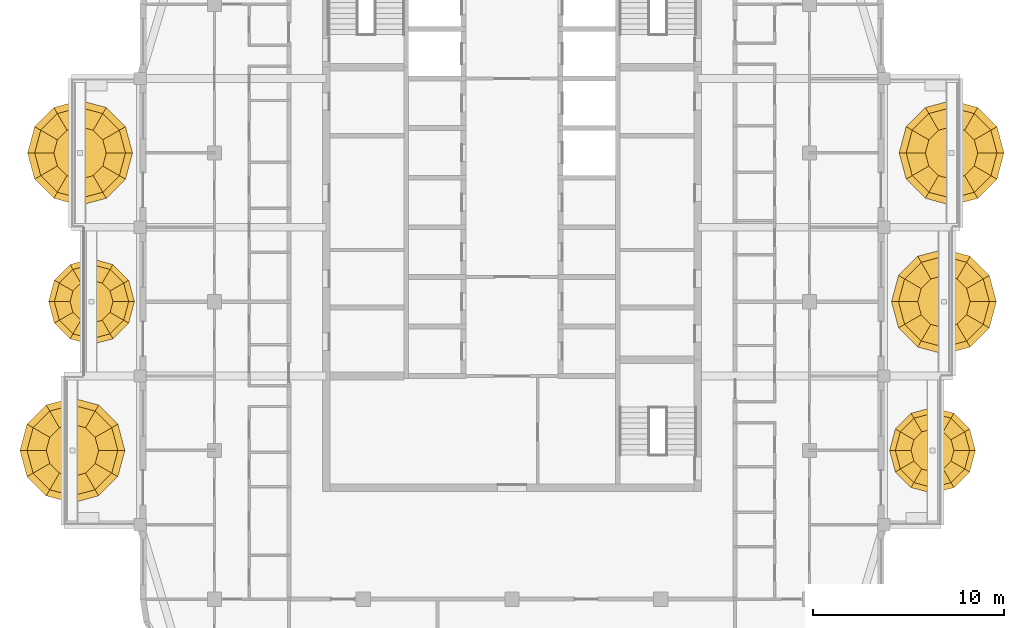
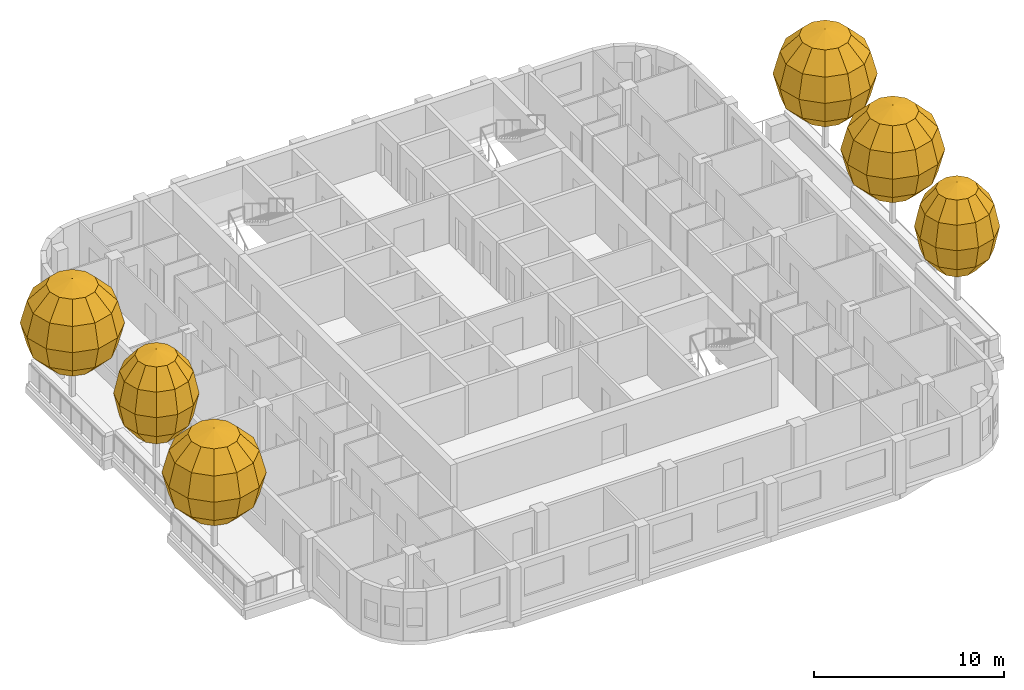
# One storey, part 13 of 13: 6 coverings.
"""IFC4 building model written with IfcOpenShell, lengths in metres."""

from ifc_helpers import new_model, si_unit, direction, frame, origin, place, context, subcontext, project, spatial, triangles, material, layer, layer_set, type_object, element, save


model = new_model("IFC4")

# Units and contexts
model_context = context("Model", 3, precision=1e-05, world=origin(), true_north=direction((0.0, 1.0)))
body_context = subcontext(model_context, "Body", "Model", "MODEL_VIEW")
ifc_project = project(units=[si_unit("LENGTHUNIT", "METRE"), si_unit("AREAUNIT", "SQUARE_METRE"), si_unit("VOLUMEUNIT", "CUBIC_METRE"), si_unit("PLANEANGLEUNIT", "RADIAN"), si_unit("MASSUNIT", "GRAM", prefix="KILO")], contexts=[model_context])

# Site, building, storey
site_placement = place(None, origin())
site = spatial("IfcSite", under=ifc_project, at=site_placement, CompositionType="ELEMENT")
building_placement = place(site_placement, origin())
building = spatial("IfcBuilding", under=site, at=building_placement, Name="Ludao Terraces", CompositionType="ELEMENT")
storey_placement = place(building_placement, frame((0.0, 0.0, 259.60009765625)))
storey = spatial("IfcBuildingStorey", under=building, at=storey_placement, Name="L71", CompositionType="ELEMENT", Elevation=259.60009765625)

# Coverings
ifc_material = material(Name="Planting")
ifc_layer_1 = layer(ifc_material, 4.5)
ifc_layer_set_1 = layer_set([ifc_layer_1], Name="ENV Tree crown 4500x5700")
covering_type_1 = type_object("IfcCoveringType", Name="ENV Tree crown 4500x5700", PredefinedType="USERDEFINED", material=ifc_layer_set_1)
covering_1_placement = place(storey_placement, frame((107.050048828125, 57.199951171875, 6.0)))
element("IfcCovering", 1, at=covering_1_placement, inside=storey, type_object=covering_type_1, Name="Tree crown L71 E1", ObjectType="PLANTING", PredefinedType="USERDEFINED", context=body_context, shape_type="Tessellation", body=[
    triangles([(0.0, 0.0, 2.85009765625), (1.125, 0.0, 2.46826171875), (0.974365234375, 0.5625, 2.46826171875), (0.5625, 0.974365234375, 2.46826171875), (0.0, 1.125, 2.46826171875), (-0.5625, 0.974365234375, 2.46826171875), (-0.974365234375, 0.5625, 2.46826171875), (-1.125, 0.0, 2.46826171875), (-0.974365234375, -0.5625, 2.46826171875), (-0.5625, -0.974365234375, 2.46826171875), (0.0, -1.125, 2.46826171875), (0.5625, -0.974365234375, 2.46826171875), (0.974365234375, -0.5625, 2.46826171875), (1.948486328125, 0.0, 1.425048828125), (1.6875, 0.974365234375, 1.425048828125), (0.974365234375, 1.6875, 1.425048828125), (0.0, 1.948486328125, 1.425048828125), (-0.974365234375, 1.6875, 1.425048828125), (-1.6875, 0.974365234375, 1.425048828125), (-1.948486328125, 0.0, 1.425048828125), (-1.6875, -0.974365234375, 1.425048828125), (-0.974365234375, -1.6875, 1.425048828125), (0.0, -1.948486328125, 1.425048828125), (0.974365234375, -1.6875, 1.425048828125), (1.6875, -0.974365234375, 1.425048828125), (2.25, 0.0, 0.0), (1.948486328125, 1.125, 0.0), (1.125, 1.948486328125, 0.0), (0.0, 2.25, 0.0), (-1.125, 1.948486328125, 0.0), (-1.948486328125, 1.125, 0.0), (-2.25, 0.0, 0.0), (-1.948486328125, -1.125, 0.0), (-1.125, -1.948486328125, 0.0), (0.0, -2.25, 0.0), (1.125, -1.948486328125, 0.0), (1.948486328125, -1.125, 0.0), (1.948486328125, 0.0, -1.425048828125), (1.6875, 0.974365234375, -1.425048828125), (0.974365234375, 1.6875, -1.425048828125), (0.0, 1.948486328125, -1.425048828125), (-0.974365234375, 1.6875, -1.425048828125), (-1.6875, 0.974365234375, -1.425048828125), (-1.948486328125, 0.0, -1.425048828125), (-1.6875, -0.974365234375, -1.425048828125), (-0.974365234375, -1.6875, -1.425048828125), (0.0, -1.948486328125, -1.425048828125), (0.974365234375, -1.6875, -1.425048828125), (1.6875, -0.974365234375, -1.425048828125), (1.125, 0.0, -2.46826171875), (0.974365234375, 0.5625, -2.46826171875), (0.5625, 0.974365234375, -2.46826171875), (0.0, 1.125, -2.46826171875), (-0.5625, 0.974365234375, -2.46826171875), (-0.974365234375, 0.5625, -2.46826171875), (-1.125, 0.0, -2.46826171875), (-0.974365234375, -0.5625, -2.46826171875), (-0.5625, -0.974365234375, -2.46826171875), (0.0, -1.125, -2.46826171875), (0.5625, -0.974365234375, -2.46826171875), (0.974365234375, -0.5625, -2.46826171875), (0.0, 0.0, -2.85009765625)], [[1, 2, 3], [1, 3, 4], [1, 4, 5], [1, 5, 6], [1, 6, 7], [1, 7, 8], [1, 8, 9], [1, 9, 10], [1, 10, 11], [1, 11, 12], [1, 12, 13], [1, 13, 2], [2, 14, 15], [2, 15, 3], [3, 15, 16], [3, 16, 4], [4, 16, 17], [4, 17, 5], [5, 17, 18], [5, 18, 6], [6, 18, 19], [6, 19, 7], [7, 19, 20], [7, 20, 8], [8, 20, 21], [8, 21, 9], [9, 21, 22], [9, 22, 10], [10, 22, 23], [10, 23, 11], [11, 23, 24], [11, 24, 12], [12, 24, 25], [12, 25, 13], [13, 25, 14], [13, 14, 2], [14, 26, 27], [14, 27, 15], [15, 27, 28], [15, 28, 16], [16, 28, 29], [16, 29, 17], [17, 29, 30], [17, 30, 18], [18, 30, 31], [18, 31, 19], [19, 31, 32], [19, 32, 20], [20, 32, 33], [20, 33, 21], [21, 33, 34], [21, 34, 22], [22, 34, 35], [22, 35, 23], [23, 35, 36], [23, 36, 24], [24, 36, 37], [24, 37, 25], [25, 37, 26], [25, 26, 14], [26, 38, 39], [26, 39, 27], [27, 39, 40], [27, 40, 28], [28, 40, 41], [28, 41, 29], [29, 41, 42], [29, 42, 30], [30, 42, 43], [30, 43, 31], [31, 43, 44], [31, 44, 32], [32, 44, 45], [32, 45, 33], [33, 45, 46], [33, 46, 34], [34, 46, 47], [34, 47, 35], [35, 47, 48], [35, 48, 36], [36, 48, 49], [36, 49, 37], [37, 49, 38], [37, 38, 26], [38, 50, 51], [38, 51, 39], [39, 51, 52], [39, 52, 40], [40, 52, 53], [40, 53, 41], [41, 53, 54], [41, 54, 42], [42, 54, 55], [42, 55, 43], [43, 55, 56], [43, 56, 44], [44, 56, 57], [44, 57, 45], [45, 57, 58], [45, 58, 46], [46, 58, 59], [46, 59, 47], [47, 59, 60], [47, 60, 48], [48, 60, 61], [48, 61, 49], [49, 61, 50], [49, 50, 38], [62, 51, 50], [62, 52, 51], [62, 53, 52], [62, 54, 53], [62, 55, 54], [62, 56, 55], [62, 57, 56], [62, 58, 57], [62, 59, 58], [62, 60, 59], [62, 61, 60], [62, 50, 61]], closed=True),
])
covering_2_placement = place(storey_placement, frame((62.949951171875, 65.0, 6.0)))
element("IfcCovering", 2, at=covering_2_placement, inside=storey, type_object=covering_type_1, Name="Tree crown L71 W2", ObjectType="PLANTING", PredefinedType="USERDEFINED", context=body_context, shape_type="Tessellation", body=[
    triangles([(0.0, 0.0, 2.85009765625), (1.125, 0.0, 2.46826171875), (0.974365234375, 0.5625, 2.46826171875), (0.5625, 0.974365234375, 2.46826171875), (0.0, 1.125, 2.46826171875), (-0.5625, 0.974365234375, 2.46826171875), (-0.974365234375, 0.5625, 2.46826171875), (-1.125, 0.0, 2.46826171875), (-0.974365234375, -0.5625, 2.46826171875), (-0.5625, -0.974365234375, 2.46826171875), (0.0, -1.125, 2.46826171875), (0.5625, -0.974365234375, 2.46826171875), (0.974365234375, -0.5625, 2.46826171875), (1.948486328125, 0.0, 1.425048828125), (1.6875, 0.974365234375, 1.425048828125), (0.974365234375, 1.6875, 1.425048828125), (0.0, 1.948486328125, 1.425048828125), (-0.974365234375, 1.6875, 1.425048828125), (-1.6875, 0.974365234375, 1.425048828125), (-1.948486328125, 0.0, 1.425048828125), (-1.6875, -0.974365234375, 1.425048828125), (-0.974365234375, -1.6875, 1.425048828125), (0.0, -1.948486328125, 1.425048828125), (0.974365234375, -1.6875, 1.425048828125), (1.6875, -0.974365234375, 1.425048828125), (2.25, 0.0, 0.0), (1.948486328125, 1.125, 0.0), (1.125, 1.948486328125, 0.0), (0.0, 2.25, 0.0), (-1.125, 1.948486328125, 0.0), (-1.948486328125, 1.125, 0.0), (-2.25, 0.0, 0.0), (-1.948486328125, -1.125, 0.0), (-1.125, -1.948486328125, 0.0), (0.0, -2.25, 0.0), (1.125, -1.948486328125, 0.0), (1.948486328125, -1.125, 0.0), (1.948486328125, 0.0, -1.425048828125), (1.6875, 0.974365234375, -1.425048828125), (0.974365234375, 1.6875, -1.425048828125), (0.0, 1.948486328125, -1.425048828125), (-0.974365234375, 1.6875, -1.425048828125), (-1.6875, 0.974365234375, -1.425048828125), (-1.948486328125, 0.0, -1.425048828125), (-1.6875, -0.974365234375, -1.425048828125), (-0.974365234375, -1.6875, -1.425048828125), (0.0, -1.948486328125, -1.425048828125), (0.974365234375, -1.6875, -1.425048828125), (1.6875, -0.974365234375, -1.425048828125), (1.125, 0.0, -2.46826171875), (0.974365234375, 0.5625, -2.46826171875), (0.5625, 0.974365234375, -2.46826171875), (0.0, 1.125, -2.46826171875), (-0.5625, 0.974365234375, -2.46826171875), (-0.974365234375, 0.5625, -2.46826171875), (-1.125, 0.0, -2.46826171875), (-0.974365234375, -0.5625, -2.46826171875), (-0.5625, -0.974365234375, -2.46826171875), (0.0, -1.125, -2.46826171875), (0.5625, -0.974365234375, -2.46826171875), (0.974365234375, -0.5625, -2.46826171875), (0.0, 0.0, -2.85009765625)], [[1, 2, 3], [1, 3, 4], [1, 4, 5], [1, 5, 6], [1, 6, 7], [1, 7, 8], [1, 8, 9], [1, 9, 10], [1, 10, 11], [1, 11, 12], [1, 12, 13], [1, 13, 2], [2, 14, 15], [2, 15, 3], [3, 15, 16], [3, 16, 4], [4, 16, 17], [4, 17, 5], [5, 17, 18], [5, 18, 6], [6, 18, 19], [6, 19, 7], [7, 19, 20], [7, 20, 8], [8, 20, 21], [8, 21, 9], [9, 21, 22], [9, 22, 10], [10, 22, 23], [10, 23, 11], [11, 23, 24], [11, 24, 12], [12, 24, 25], [12, 25, 13], [13, 25, 14], [13, 14, 2], [14, 26, 27], [14, 27, 15], [15, 27, 28], [15, 28, 16], [16, 28, 29], [16, 29, 17], [17, 29, 30], [17, 30, 18], [18, 30, 31], [18, 31, 19], [19, 31, 32], [19, 32, 20], [20, 32, 33], [20, 33, 21], [21, 33, 34], [21, 34, 22], [22, 34, 35], [22, 35, 23], [23, 35, 36], [23, 36, 24], [24, 36, 37], [24, 37, 25], [25, 37, 26], [25, 26, 14], [26, 38, 39], [26, 39, 27], [27, 39, 40], [27, 40, 28], [28, 40, 41], [28, 41, 29], [29, 41, 42], [29, 42, 30], [30, 42, 43], [30, 43, 31], [31, 43, 44], [31, 44, 32], [32, 44, 45], [32, 45, 33], [33, 45, 46], [33, 46, 34], [34, 46, 47], [34, 47, 35], [35, 47, 48], [35, 48, 36], [36, 48, 49], [36, 49, 37], [37, 49, 38], [37, 38, 26], [38, 50, 51], [38, 51, 39], [39, 51, 52], [39, 52, 40], [40, 52, 53], [40, 53, 41], [41, 53, 54], [41, 54, 42], [42, 54, 55], [42, 55, 43], [43, 55, 56], [43, 56, 44], [44, 56, 57], [44, 57, 45], [45, 57, 58], [45, 58, 46], [46, 58, 59], [46, 59, 47], [47, 59, 60], [47, 60, 48], [48, 60, 61], [48, 61, 49], [49, 61, 50], [49, 50, 38], [62, 51, 50], [62, 52, 51], [62, 53, 52], [62, 54, 53], [62, 55, 54], [62, 56, 55], [62, 57, 56], [62, 58, 57], [62, 59, 58], [62, 60, 59], [62, 61, 60], [62, 50, 61]], closed=True),
])
ifc_layer_2 = layer(ifc_material, 5.5)
ifc_layer_set_2 = layer_set([ifc_layer_2], Name="ENV Tree crown 5500x5700")
covering_type_2 = type_object("IfcCoveringType", Name="ENV Tree crown 5500x5700", PredefinedType="USERDEFINED", material=ifc_layer_set_2)
covering_3_placement = place(storey_placement, frame((107.64990234375, 65.0, 6.0)))
element("IfcCovering", 3, at=covering_3_placement, inside=storey, type_object=covering_type_2, Name="Tree crown L71 E2", ObjectType="PLANTING", PredefinedType="USERDEFINED", context=body_context, shape_type="Tessellation", body=[
    triangles([(0.0, 0.0, 2.85009765625), (1.375, 0.0, 2.46826171875), (1.190673828125, 0.6875, 2.46826171875), (0.6875, 1.190673828125, 2.46826171875), (0.0, 1.375, 2.46826171875), (-0.6875, 1.190673828125, 2.46826171875), (-1.190673828125, 0.6875, 2.46826171875), (-1.375, 0.0, 2.46826171875), (-1.190673828125, -0.6875, 2.46826171875), (-0.6875, -1.190673828125, 2.46826171875), (0.0, -1.375, 2.46826171875), (0.6875, -1.190673828125, 2.46826171875), (1.190673828125, -0.6875, 2.46826171875), (2.381591796875, 0.0, 1.425048828125), (2.0625, 1.190673828125, 1.425048828125), (1.190673828125, 2.0625, 1.425048828125), (0.0, 2.381591796875, 1.425048828125), (-1.190673828125, 2.0625, 1.425048828125), (-2.0625, 1.190673828125, 1.425048828125), (-2.381591796875, 0.0, 1.425048828125), (-2.0625, -1.190673828125, 1.425048828125), (-1.190673828125, -2.0625, 1.425048828125), (0.0, -2.381591796875, 1.425048828125), (1.190673828125, -2.0625, 1.425048828125), (2.0625, -1.190673828125, 1.425048828125), (2.75, 0.0, 0.0), (2.381591796875, 1.375, 0.0), (1.375, 2.381591796875, 0.0), (0.0, 2.75, 0.0), (-1.375, 2.381591796875, 0.0), (-2.381591796875, 1.375, 0.0), (-2.75, 0.0, 0.0), (-2.381591796875, -1.375, 0.0), (-1.375, -2.381591796875, 0.0), (0.0, -2.75, 0.0), (1.375, -2.381591796875, 0.0), (2.381591796875, -1.375, 0.0), (2.381591796875, 0.0, -1.425048828125), (2.0625, 1.190673828125, -1.425048828125), (1.190673828125, 2.0625, -1.425048828125), (0.0, 2.381591796875, -1.425048828125), (-1.190673828125, 2.0625, -1.425048828125), (-2.0625, 1.190673828125, -1.425048828125), (-2.381591796875, 0.0, -1.425048828125), (-2.0625, -1.190673828125, -1.425048828125), (-1.190673828125, -2.0625, -1.425048828125), (0.0, -2.381591796875, -1.425048828125), (1.190673828125, -2.0625, -1.425048828125), (2.0625, -1.190673828125, -1.425048828125), (1.375, 0.0, -2.46826171875), (1.190673828125, 0.6875, -2.46826171875), (0.6875, 1.190673828125, -2.46826171875), (0.0, 1.375, -2.46826171875), (-0.6875, 1.190673828125, -2.46826171875), (-1.190673828125, 0.6875, -2.46826171875), (-1.375, 0.0, -2.46826171875), (-1.190673828125, -0.6875, -2.46826171875), (-0.6875, -1.190673828125, -2.46826171875), (0.0, -1.375, -2.46826171875), (0.6875, -1.190673828125, -2.46826171875), (1.190673828125, -0.6875, -2.46826171875), (0.0, 0.0, -2.85009765625)], [[1, 2, 3], [1, 3, 4], [1, 4, 5], [1, 5, 6], [1, 6, 7], [1, 7, 8], [1, 8, 9], [1, 9, 10], [1, 10, 11], [1, 11, 12], [1, 12, 13], [1, 13, 2], [2, 14, 15], [2, 15, 3], [3, 15, 16], [3, 16, 4], [4, 16, 17], [4, 17, 5], [5, 17, 18], [5, 18, 6], [6, 18, 19], [6, 19, 7], [7, 19, 20], [7, 20, 8], [8, 20, 21], [8, 21, 9], [9, 21, 22], [9, 22, 10], [10, 22, 23], [10, 23, 11], [11, 23, 24], [11, 24, 12], [12, 24, 25], [12, 25, 13], [13, 25, 14], [13, 14, 2], [14, 26, 27], [14, 27, 15], [15, 27, 28], [15, 28, 16], [16, 28, 29], [16, 29, 17], [17, 29, 30], [17, 30, 18], [18, 30, 31], [18, 31, 19], [19, 31, 32], [19, 32, 20], [20, 32, 33], [20, 33, 21], [21, 33, 34], [21, 34, 22], [22, 34, 35], [22, 35, 23], [23, 35, 36], [23, 36, 24], [24, 36, 37], [24, 37, 25], [25, 37, 26], [25, 26, 14], [26, 38, 39], [26, 39, 27], [27, 39, 40], [27, 40, 28], [28, 40, 41], [28, 41, 29], [29, 41, 42], [29, 42, 30], [30, 42, 43], [30, 43, 31], [31, 43, 44], [31, 44, 32], [32, 44, 45], [32, 45, 33], [33, 45, 46], [33, 46, 34], [34, 46, 47], [34, 47, 35], [35, 47, 48], [35, 48, 36], [36, 48, 49], [36, 49, 37], [37, 49, 38], [37, 38, 26], [38, 50, 51], [38, 51, 39], [39, 51, 52], [39, 52, 40], [40, 52, 53], [40, 53, 41], [41, 53, 54], [41, 54, 42], [42, 54, 55], [42, 55, 43], [43, 55, 56], [43, 56, 44], [44, 56, 57], [44, 57, 45], [45, 57, 58], [45, 58, 46], [46, 58, 59], [46, 59, 47], [47, 59, 60], [47, 60, 48], [48, 60, 61], [48, 61, 49], [49, 61, 50], [49, 50, 38], [62, 51, 50], [62, 52, 51], [62, 53, 52], [62, 54, 53], [62, 55, 54], [62, 56, 55], [62, 57, 56], [62, 58, 57], [62, 59, 58], [62, 60, 59], [62, 61, 60], [62, 50, 61]], closed=True),
])
covering_4_placement = place(storey_placement, frame((108.050048828125, 72.800048828125, 6.0)))
element("IfcCovering", 4, at=covering_4_placement, inside=storey, type_object=covering_type_2, Name="Tree crown L71 E3", ObjectType="PLANTING", PredefinedType="USERDEFINED", context=body_context, shape_type="Tessellation", body=[
    triangles([(0.0, 0.0, 2.85009765625), (1.375, 0.0, 2.46826171875), (1.190673828125, 0.6875, 2.46826171875), (0.6875, 1.190673828125, 2.46826171875), (0.0, 1.375, 2.46826171875), (-0.6875, 1.190673828125, 2.46826171875), (-1.190673828125, 0.6875, 2.46826171875), (-1.375, 0.0, 2.46826171875), (-1.190673828125, -0.6875, 2.46826171875), (-0.6875, -1.190673828125, 2.46826171875), (0.0, -1.375, 2.46826171875), (0.6875, -1.190673828125, 2.46826171875), (1.190673828125, -0.6875, 2.46826171875), (2.381591796875, 0.0, 1.425048828125), (2.0625, 1.190673828125, 1.425048828125), (1.190673828125, 2.0625, 1.425048828125), (0.0, 2.381591796875, 1.425048828125), (-1.190673828125, 2.0625, 1.425048828125), (-2.0625, 1.190673828125, 1.425048828125), (-2.381591796875, 0.0, 1.425048828125), (-2.0625, -1.190673828125, 1.425048828125), (-1.190673828125, -2.0625, 1.425048828125), (0.0, -2.381591796875, 1.425048828125), (1.190673828125, -2.0625, 1.425048828125), (2.0625, -1.190673828125, 1.425048828125), (2.75, 0.0, 0.0), (2.381591796875, 1.375, 0.0), (1.375, 2.381591796875, 0.0), (0.0, 2.75, 0.0), (-1.375, 2.381591796875, 0.0), (-2.381591796875, 1.375, 0.0), (-2.75, 0.0, 0.0), (-2.381591796875, -1.375, 0.0), (-1.375, -2.381591796875, 0.0), (0.0, -2.75, 0.0), (1.375, -2.381591796875, 0.0), (2.381591796875, -1.375, 0.0), (2.381591796875, 0.0, -1.425048828125), (2.0625, 1.190673828125, -1.425048828125), (1.190673828125, 2.0625, -1.425048828125), (0.0, 2.381591796875, -1.425048828125), (-1.190673828125, 2.0625, -1.425048828125), (-2.0625, 1.190673828125, -1.425048828125), (-2.381591796875, 0.0, -1.425048828125), (-2.0625, -1.190673828125, -1.425048828125), (-1.190673828125, -2.0625, -1.425048828125), (0.0, -2.381591796875, -1.425048828125), (1.190673828125, -2.0625, -1.425048828125), (2.0625, -1.190673828125, -1.425048828125), (1.375, 0.0, -2.46826171875), (1.190673828125, 0.6875, -2.46826171875), (0.6875, 1.190673828125, -2.46826171875), (0.0, 1.375, -2.46826171875), (-0.6875, 1.190673828125, -2.46826171875), (-1.190673828125, 0.6875, -2.46826171875), (-1.375, 0.0, -2.46826171875), (-1.190673828125, -0.6875, -2.46826171875), (-0.6875, -1.190673828125, -2.46826171875), (0.0, -1.375, -2.46826171875), (0.6875, -1.190673828125, -2.46826171875), (1.190673828125, -0.6875, -2.46826171875), (0.0, 0.0, -2.85009765625)], [[1, 2, 3], [1, 3, 4], [1, 4, 5], [1, 5, 6], [1, 6, 7], [1, 7, 8], [1, 8, 9], [1, 9, 10], [1, 10, 11], [1, 11, 12], [1, 12, 13], [1, 13, 2], [2, 14, 15], [2, 15, 3], [3, 15, 16], [3, 16, 4], [4, 16, 17], [4, 17, 5], [5, 17, 18], [5, 18, 6], [6, 18, 19], [6, 19, 7], [7, 19, 20], [7, 20, 8], [8, 20, 21], [8, 21, 9], [9, 21, 22], [9, 22, 10], [10, 22, 23], [10, 23, 11], [11, 23, 24], [11, 24, 12], [12, 24, 25], [12, 25, 13], [13, 25, 14], [13, 14, 2], [14, 26, 27], [14, 27, 15], [15, 27, 28], [15, 28, 16], [16, 28, 29], [16, 29, 17], [17, 29, 30], [17, 30, 18], [18, 30, 31], [18, 31, 19], [19, 31, 32], [19, 32, 20], [20, 32, 33], [20, 33, 21], [21, 33, 34], [21, 34, 22], [22, 34, 35], [22, 35, 23], [23, 35, 36], [23, 36, 24], [24, 36, 37], [24, 37, 25], [25, 37, 26], [25, 26, 14], [26, 38, 39], [26, 39, 27], [27, 39, 40], [27, 40, 28], [28, 40, 41], [28, 41, 29], [29, 41, 42], [29, 42, 30], [30, 42, 43], [30, 43, 31], [31, 43, 44], [31, 44, 32], [32, 44, 45], [32, 45, 33], [33, 45, 46], [33, 46, 34], [34, 46, 47], [34, 47, 35], [35, 47, 48], [35, 48, 36], [36, 48, 49], [36, 49, 37], [37, 49, 38], [37, 38, 26], [38, 50, 51], [38, 51, 39], [39, 51, 52], [39, 52, 40], [40, 52, 53], [40, 53, 41], [41, 53, 54], [41, 54, 42], [42, 54, 55], [42, 55, 43], [43, 55, 56], [43, 56, 44], [44, 56, 57], [44, 57, 45], [45, 57, 58], [45, 58, 46], [46, 58, 59], [46, 59, 47], [47, 59, 60], [47, 60, 48], [48, 60, 61], [48, 61, 49], [49, 61, 50], [49, 50, 38], [62, 51, 50], [62, 52, 51], [62, 53, 52], [62, 54, 53], [62, 55, 54], [62, 56, 55], [62, 57, 56], [62, 58, 57], [62, 59, 58], [62, 60, 59], [62, 61, 60], [62, 50, 61]], closed=True),
])
covering_5_placement = place(storey_placement, frame((61.949951171875, 57.199951171875, 6.0)))
element("IfcCovering", 5, at=covering_5_placement, inside=storey, type_object=covering_type_2, Name="Tree crown L71 W1", ObjectType="PLANTING", PredefinedType="USERDEFINED", context=body_context, shape_type="Tessellation", body=[
    triangles([(0.0, 0.0, 2.85009765625), (1.375, 0.0, 2.46826171875), (1.190673828125, 0.6875, 2.46826171875), (0.6875, 1.190673828125, 2.46826171875), (0.0, 1.375, 2.46826171875), (-0.6875, 1.190673828125, 2.46826171875), (-1.190673828125, 0.6875, 2.46826171875), (-1.375, 0.0, 2.46826171875), (-1.190673828125, -0.6875, 2.46826171875), (-0.6875, -1.190673828125, 2.46826171875), (0.0, -1.375, 2.46826171875), (0.6875, -1.190673828125, 2.46826171875), (1.190673828125, -0.6875, 2.46826171875), (2.381591796875, 0.0, 1.425048828125), (2.0625, 1.190673828125, 1.425048828125), (1.190673828125, 2.0625, 1.425048828125), (0.0, 2.381591796875, 1.425048828125), (-1.190673828125, 2.0625, 1.425048828125), (-2.0625, 1.190673828125, 1.425048828125), (-2.381591796875, 0.0, 1.425048828125), (-2.0625, -1.190673828125, 1.425048828125), (-1.190673828125, -2.0625, 1.425048828125), (0.0, -2.381591796875, 1.425048828125), (1.190673828125, -2.0625, 1.425048828125), (2.0625, -1.190673828125, 1.425048828125), (2.75, 0.0, 0.0), (2.381591796875, 1.375, 0.0), (1.375, 2.381591796875, 0.0), (0.0, 2.75, 0.0), (-1.375, 2.381591796875, 0.0), (-2.381591796875, 1.375, 0.0), (-2.75, 0.0, 0.0), (-2.381591796875, -1.375, 0.0), (-1.375, -2.381591796875, 0.0), (0.0, -2.75, 0.0), (1.375, -2.381591796875, 0.0), (2.381591796875, -1.375, 0.0), (2.381591796875, 0.0, -1.425048828125), (2.0625, 1.190673828125, -1.425048828125), (1.190673828125, 2.0625, -1.425048828125), (0.0, 2.381591796875, -1.425048828125), (-1.190673828125, 2.0625, -1.425048828125), (-2.0625, 1.190673828125, -1.425048828125), (-2.381591796875, 0.0, -1.425048828125), (-2.0625, -1.190673828125, -1.425048828125), (-1.190673828125, -2.0625, -1.425048828125), (0.0, -2.381591796875, -1.425048828125), (1.190673828125, -2.0625, -1.425048828125), (2.0625, -1.190673828125, -1.425048828125), (1.375, 0.0, -2.46826171875), (1.190673828125, 0.6875, -2.46826171875), (0.6875, 1.190673828125, -2.46826171875), (0.0, 1.375, -2.46826171875), (-0.6875, 1.190673828125, -2.46826171875), (-1.190673828125, 0.6875, -2.46826171875), (-1.375, 0.0, -2.46826171875), (-1.190673828125, -0.6875, -2.46826171875), (-0.6875, -1.190673828125, -2.46826171875), (0.0, -1.375, -2.46826171875), (0.6875, -1.190673828125, -2.46826171875), (1.190673828125, -0.6875, -2.46826171875), (0.0, 0.0, -2.85009765625)], [[1, 2, 3], [1, 3, 4], [1, 4, 5], [1, 5, 6], [1, 6, 7], [1, 7, 8], [1, 8, 9], [1, 9, 10], [1, 10, 11], [1, 11, 12], [1, 12, 13], [1, 13, 2], [2, 14, 15], [2, 15, 3], [3, 15, 16], [3, 16, 4], [4, 16, 17], [4, 17, 5], [5, 17, 18], [5, 18, 6], [6, 18, 19], [6, 19, 7], [7, 19, 20], [7, 20, 8], [8, 20, 21], [8, 21, 9], [9, 21, 22], [9, 22, 10], [10, 22, 23], [10, 23, 11], [11, 23, 24], [11, 24, 12], [12, 24, 25], [12, 25, 13], [13, 25, 14], [13, 14, 2], [14, 26, 27], [14, 27, 15], [15, 27, 28], [15, 28, 16], [16, 28, 29], [16, 29, 17], [17, 29, 30], [17, 30, 18], [18, 30, 31], [18, 31, 19], [19, 31, 32], [19, 32, 20], [20, 32, 33], [20, 33, 21], [21, 33, 34], [21, 34, 22], [22, 34, 35], [22, 35, 23], [23, 35, 36], [23, 36, 24], [24, 36, 37], [24, 37, 25], [25, 37, 26], [25, 26, 14], [26, 38, 39], [26, 39, 27], [27, 39, 40], [27, 40, 28], [28, 40, 41], [28, 41, 29], [29, 41, 42], [29, 42, 30], [30, 42, 43], [30, 43, 31], [31, 43, 44], [31, 44, 32], [32, 44, 45], [32, 45, 33], [33, 45, 46], [33, 46, 34], [34, 46, 47], [34, 47, 35], [35, 47, 48], [35, 48, 36], [36, 48, 49], [36, 49, 37], [37, 49, 38], [37, 38, 26], [38, 50, 51], [38, 51, 39], [39, 51, 52], [39, 52, 40], [40, 52, 53], [40, 53, 41], [41, 53, 54], [41, 54, 42], [42, 54, 55], [42, 55, 43], [43, 55, 56], [43, 56, 44], [44, 56, 57], [44, 57, 45], [45, 57, 58], [45, 58, 46], [46, 58, 59], [46, 59, 47], [47, 59, 60], [47, 60, 48], [48, 60, 61], [48, 61, 49], [49, 61, 50], [49, 50, 38], [62, 51, 50], [62, 52, 51], [62, 53, 52], [62, 54, 53], [62, 55, 54], [62, 56, 55], [62, 57, 56], [62, 58, 57], [62, 59, 58], [62, 60, 59], [62, 61, 60], [62, 50, 61]], closed=True),
])
covering_6_placement = place(storey_placement, frame((62.35009765625, 72.800048828125, 6.0)))
element("IfcCovering", 6, at=covering_6_placement, inside=storey, type_object=covering_type_2, Name="Tree crown L71 W3", ObjectType="PLANTING", PredefinedType="USERDEFINED", context=body_context, shape_type="Tessellation", body=[
    triangles([(0.0, 0.0, 2.85009765625), (1.375, 0.0, 2.46826171875), (1.190673828125, 0.6875, 2.46826171875), (0.6875, 1.190673828125, 2.46826171875), (0.0, 1.375, 2.46826171875), (-0.6875, 1.190673828125, 2.46826171875), (-1.190673828125, 0.6875, 2.46826171875), (-1.375, 0.0, 2.46826171875), (-1.190673828125, -0.6875, 2.46826171875), (-0.6875, -1.190673828125, 2.46826171875), (0.0, -1.375, 2.46826171875), (0.6875, -1.190673828125, 2.46826171875), (1.190673828125, -0.6875, 2.46826171875), (2.381591796875, 0.0, 1.425048828125), (2.0625, 1.190673828125, 1.425048828125), (1.190673828125, 2.0625, 1.425048828125), (0.0, 2.381591796875, 1.425048828125), (-1.190673828125, 2.0625, 1.425048828125), (-2.0625, 1.190673828125, 1.425048828125), (-2.381591796875, 0.0, 1.425048828125), (-2.0625, -1.190673828125, 1.425048828125), (-1.190673828125, -2.0625, 1.425048828125), (0.0, -2.381591796875, 1.425048828125), (1.190673828125, -2.0625, 1.425048828125), (2.0625, -1.190673828125, 1.425048828125), (2.75, 0.0, 0.0), (2.381591796875, 1.375, 0.0), (1.375, 2.381591796875, 0.0), (0.0, 2.75, 0.0), (-1.375, 2.381591796875, 0.0), (-2.381591796875, 1.375, 0.0), (-2.75, 0.0, 0.0), (-2.381591796875, -1.375, 0.0), (-1.375, -2.381591796875, 0.0), (0.0, -2.75, 0.0), (1.375, -2.381591796875, 0.0), (2.381591796875, -1.375, 0.0), (2.381591796875, 0.0, -1.425048828125), (2.0625, 1.190673828125, -1.425048828125), (1.190673828125, 2.0625, -1.425048828125), (0.0, 2.381591796875, -1.425048828125), (-1.190673828125, 2.0625, -1.425048828125), (-2.0625, 1.190673828125, -1.425048828125), (-2.381591796875, 0.0, -1.425048828125), (-2.0625, -1.190673828125, -1.425048828125), (-1.190673828125, -2.0625, -1.425048828125), (0.0, -2.381591796875, -1.425048828125), (1.190673828125, -2.0625, -1.425048828125), (2.0625, -1.190673828125, -1.425048828125), (1.375, 0.0, -2.46826171875), (1.190673828125, 0.6875, -2.46826171875), (0.6875, 1.190673828125, -2.46826171875), (0.0, 1.375, -2.46826171875), (-0.6875, 1.190673828125, -2.46826171875), (-1.190673828125, 0.6875, -2.46826171875), (-1.375, 0.0, -2.46826171875), (-1.190673828125, -0.6875, -2.46826171875), (-0.6875, -1.190673828125, -2.46826171875), (0.0, -1.375, -2.46826171875), (0.6875, -1.190673828125, -2.46826171875), (1.190673828125, -0.6875, -2.46826171875), (0.0, 0.0, -2.85009765625)], [[1, 2, 3], [1, 3, 4], [1, 4, 5], [1, 5, 6], [1, 6, 7], [1, 7, 8], [1, 8, 9], [1, 9, 10], [1, 10, 11], [1, 11, 12], [1, 12, 13], [1, 13, 2], [2, 14, 15], [2, 15, 3], [3, 15, 16], [3, 16, 4], [4, 16, 17], [4, 17, 5], [5, 17, 18], [5, 18, 6], [6, 18, 19], [6, 19, 7], [7, 19, 20], [7, 20, 8], [8, 20, 21], [8, 21, 9], [9, 21, 22], [9, 22, 10], [10, 22, 23], [10, 23, 11], [11, 23, 24], [11, 24, 12], [12, 24, 25], [12, 25, 13], [13, 25, 14], [13, 14, 2], [14, 26, 27], [14, 27, 15], [15, 27, 28], [15, 28, 16], [16, 28, 29], [16, 29, 17], [17, 29, 30], [17, 30, 18], [18, 30, 31], [18, 31, 19], [19, 31, 32], [19, 32, 20], [20, 32, 33], [20, 33, 21], [21, 33, 34], [21, 34, 22], [22, 34, 35], [22, 35, 23], [23, 35, 36], [23, 36, 24], [24, 36, 37], [24, 37, 25], [25, 37, 26], [25, 26, 14], [26, 38, 39], [26, 39, 27], [27, 39, 40], [27, 40, 28], [28, 40, 41], [28, 41, 29], [29, 41, 42], [29, 42, 30], [30, 42, 43], [30, 43, 31], [31, 43, 44], [31, 44, 32], [32, 44, 45], [32, 45, 33], [33, 45, 46], [33, 46, 34], [34, 46, 47], [34, 47, 35], [35, 47, 48], [35, 48, 36], [36, 48, 49], [36, 49, 37], [37, 49, 38], [37, 38, 26], [38, 50, 51], [38, 51, 39], [39, 51, 52], [39, 52, 40], [40, 52, 53], [40, 53, 41], [41, 53, 54], [41, 54, 42], [42, 54, 55], [42, 55, 43], [43, 55, 56], [43, 56, 44], [44, 56, 57], [44, 57, 45], [45, 57, 58], [45, 58, 46], [46, 58, 59], [46, 59, 47], [47, 59, 60], [47, 60, 48], [48, 60, 61], [48, 61, 49], [49, 61, 50], [49, 50, 38], [62, 51, 50], [62, 52, 51], [62, 53, 52], [62, 54, 53], [62, 55, 54], [62, 56, 55], [62, 57, 56], [62, 58, 57], [62, 59, 58], [62, 60, 59], [62, 61, 60], [62, 50, 61]], closed=True),
])

save(model, "model.ifc")
